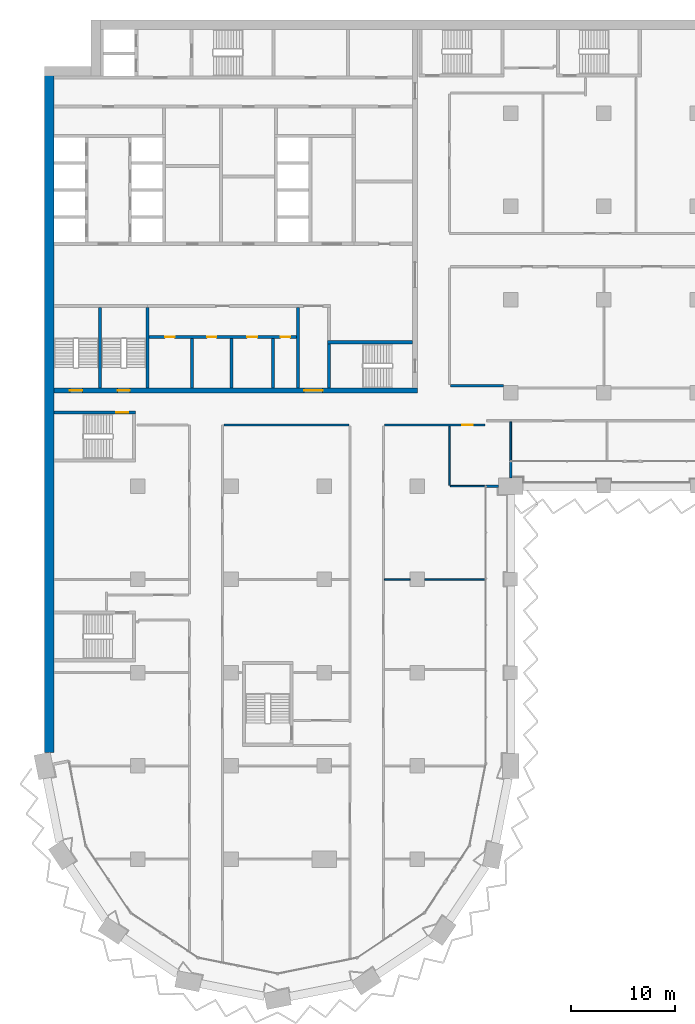
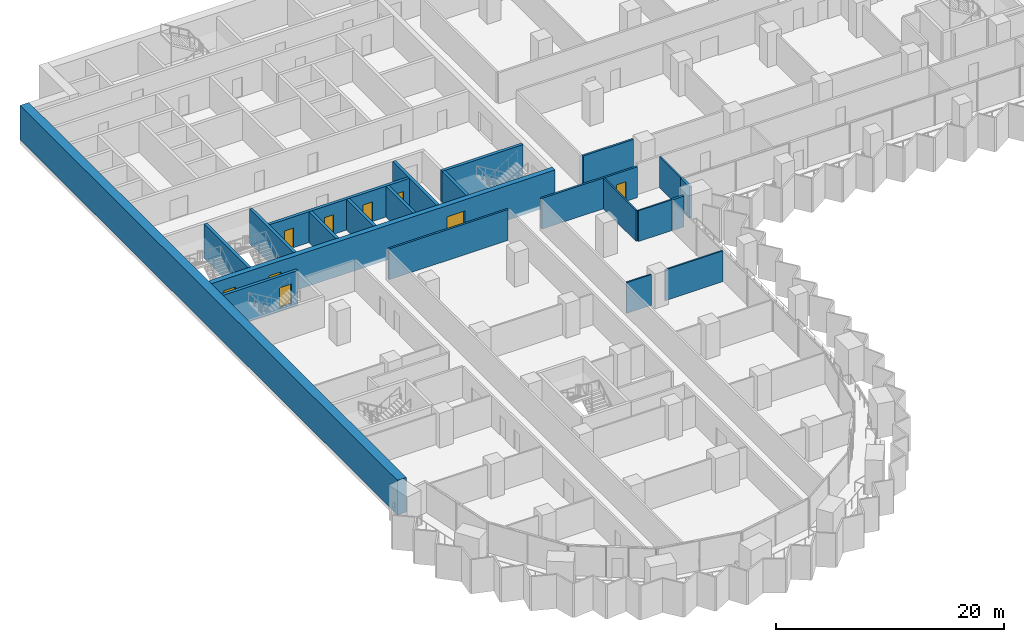
# One storey, part 13 of 29: 22 walls, 9 doors, 9 openings.
"""IFC4 building model written with IfcOpenShell, lengths in metres."""

from ifc_helpers import new_model, si_unit, direction, frame, frame_2d, origin, place, context, subcontext, project, spatial, rectangle, extrude, material, layer, layer_set, type_object, element, fill, save


model = new_model("IFC4")

# Units and contexts
model_context = context("Model", 3, precision=1e-05, world=origin(), true_north=direction((0.0, 1.0)))
body_context = subcontext(model_context, "Body", "Model", "MODEL_VIEW")
ifc_project = project(units=[si_unit("LENGTHUNIT", "METRE"), si_unit("AREAUNIT", "SQUARE_METRE"), si_unit("VOLUMEUNIT", "CUBIC_METRE"), si_unit("PLANEANGLEUNIT", "RADIAN"), si_unit("MASSUNIT", "GRAM", prefix="KILO")], contexts=[model_context])

# Site, building, storey
site_placement = place(None, origin())
site = spatial("IfcSite", under=ifc_project, at=site_placement, CompositionType="ELEMENT")
building_placement = place(site_placement, origin())
building = spatial("IfcBuilding", under=site, at=building_placement, Name="Hunhe Ridgeline Campus", CompositionType="ELEMENT")
storey_placement = place(building_placement, frame((0.0, 0.0, 69.10009765625)))
storey = spatial("IfcBuildingStorey", under=building, at=storey_placement, Name="L16", CompositionType="ELEMENT", Elevation=69.10009765625)

# Wall, openings, doors
ifc_material_1 = material(Name="Masonry concrete blockwork", Category="masonry")
ifc_layer_1 = layer(ifc_material_1, 0.300048828125)
ifc_layer_set_1 = layer_set([ifc_layer_1], Name="Core room partition 300 concrete block")
wall_type_1 = type_object("IfcWallType", Name="Core room partition 300 concrete block", PredefinedType="PARTITIONING", material=ifc_layer_set_1)
wall_1_placement = place(storey_placement, frame((10.10009765625, 68.39990234375, 0.0), z_axis=(0.0, 0.0, 1.0), x_axis=(1.0, 0.0, 0.0)))
wall_1 = element("IfcWall", 1, at=wall_1_placement, inside=storey, type_object=wall_type_1, Name="L16 core partition 10", PredefinedType="PARTITIONING", context=body_context, shape_type="SweptSolid", body=[
    extrude(rectangle(XDim=14.199951171875, YDim=0.300048828125, at=frame_2d((7.10009765625, 0.0))), origin(), (0.0, 0.0, 1.0), 3.2998046875),
])
opening_1_placement = place(wall_1_placement, frame((1.550048828125, 0.0, 0.0)))
opening_1 = element("IfcOpeningElement", 2, at=opening_1_placement, cuts=wall_1, Name="Opening CD8", PredefinedType="OPENING", context=body_context, shape_type="SweptSolid", body=[
    extrude(rectangle(XDim=0.89990234375, YDim=2.10009765625, at=frame_2d((0.449951171875, 1.050048828125))), frame((0.0, 0.14990234375, 0.0), z_axis=(0.0, -1.0, 0.0), x_axis=(1.0, 0.0, 0.0)), (0.0, 0.0, 1.0), 0.300048828125),
])
opening_2_placement = place(wall_1_placement, frame((5.60009765625, 0.0, 0.0)))
opening_2 = element("IfcOpeningElement", 3, at=opening_2_placement, cuts=wall_1, Name="Opening CD9", PredefinedType="OPENING", context=body_context, shape_type="SweptSolid", body=[
    extrude(rectangle(XDim=0.89990234375, YDim=2.10009765625, at=frame_2d((0.449951171875, 1.050048828125))), frame((0.0, 0.14990234375, 0.0), z_axis=(0.0, -1.0, 0.0), x_axis=(1.0, 0.0, 0.0)), (0.0, 0.0, 1.0), 0.300048828125),
])
opening_3_placement = place(wall_1_placement, frame((9.449951171875, 0.0, 0.0)))
opening_3 = element("IfcOpeningElement", 4, at=opening_3_placement, cuts=wall_1, Name="Opening CD10", PredefinedType="OPENING", context=body_context, shape_type="SweptSolid", body=[
    extrude(rectangle(XDim=1.0, YDim=2.10009765625, at=frame_2d((0.5, 1.050048828125))), frame((0.0, 0.14990234375, 0.0), z_axis=(0.0, -1.0, 0.0), x_axis=(1.0, 0.0, 0.0)), (0.0, 0.0, 1.0), 0.300048828125),
])
opening_4_placement = place(wall_1_placement, frame((12.699951171875, 0.0, 0.0)))
opening_4 = element("IfcOpeningElement", 5, at=opening_4_placement, cuts=wall_1, Name="Opening CD11", PredefinedType="OPENING", context=body_context, shape_type="SweptSolid", body=[
    extrude(rectangle(XDim=0.89990234375, YDim=2.10009765625, at=frame_2d((0.449951171875, 1.050048828125))), frame((0.0, 0.14990234375, 0.0), z_axis=(0.0, -1.0, 0.0), x_axis=(1.0, 0.0, 0.0)), (0.0, 0.0, 1.0), 0.300048828125),
])
ifc_material_2 = material(Name="Solid core timber door leaf", Category="wood")
door_type_1 = type_object("IfcDoorType", Name="Timber door 1000x2100", OperationType="SINGLE_SWING_LEFT", PredefinedType="DOOR", material=ifc_material_2)
door_1_placement = place(opening_3_placement, frame((1.0, 0.0, 0.0), z_axis=(0.0, 0.0, 1.0), x_axis=(-1.0, 0.0, 0.0)))
door_1 = element("IfcDoor", 6, at=door_1_placement, inside=storey, type_object=door_type_1, Name="L16 door WC3", OperationType="SINGLE_SWING_RIGHT", OverallHeight=2.10009765625, OverallWidth=1.0, PredefinedType="DOOR", context=body_context, shape_type="SweptSolid", body=[
    extrude(rectangle(XDim=1.0, YDim=2.10009765625, at=frame_2d((0.5, 1.050048828125))), frame((0.0, 0.02490234375, 0.0), z_axis=(0.0, -1.0, 0.0), x_axis=(1.0, 0.0, 0.0)), (0.0, 0.0, 1.0), 0.050048828125),
])
fill(opening_3, door_1)
door_type_2 = type_object("IfcDoorType", Name="Timber door 900x2100", OperationType="SINGLE_SWING_LEFT", PredefinedType="DOOR", material=ifc_material_2)
door_2_placement = place(opening_1_placement, frame((0.89990234375, 0.0, 0.0), z_axis=(0.0, 0.0, 1.0), x_axis=(-1.0, 0.0, 0.0)))
door_2 = element("IfcDoor", 7, at=door_2_placement, inside=storey, type_object=door_type_2, Name="L16 door WC1", OperationType="SINGLE_SWING_RIGHT", OverallHeight=2.10009765625, OverallWidth=0.89990234375, PredefinedType="DOOR", context=body_context, shape_type="SweptSolid", body=[
    extrude(rectangle(XDim=0.89990234375, YDim=2.10009765625, at=frame_2d((0.449951171875, 1.050048828125))), frame((0.0, 0.02490234375, 0.0), z_axis=(0.0, -1.0, 0.0), x_axis=(1.0, 0.0, 0.0)), (0.0, 0.0, 1.0), 0.050048828125),
])
fill(opening_1, door_2)
door_3_placement = place(opening_2_placement, frame((0.89990234375, 0.0, 0.0), z_axis=(0.0, 0.0, 1.0), x_axis=(-1.0, 0.0, 0.0)))
door_3 = element("IfcDoor", 8, at=door_3_placement, inside=storey, type_object=door_type_2, Name="L16 door WC2", OperationType="SINGLE_SWING_LEFT", OverallHeight=2.10009765625, OverallWidth=0.89990234375, PredefinedType="DOOR", context=body_context, shape_type="SweptSolid", body=[
    extrude(rectangle(XDim=0.89990234375, YDim=2.10009765625, at=frame_2d((0.449951171875, 1.050048828125))), frame((0.0, 0.02490234375, 0.0), z_axis=(0.0, -1.0, 0.0), x_axis=(1.0, 0.0, 0.0)), (0.0, 0.0, 1.0), 0.050048828125),
])
fill(opening_2, door_3)
door_4_placement = place(opening_4_placement, frame((0.89990234375, 0.0, 0.0), z_axis=(0.0, 0.0, 1.0), x_axis=(-1.0, 0.0, 0.0)))
door_4 = element("IfcDoor", 9, at=door_4_placement, inside=storey, type_object=door_type_2, Name="L16 door WC4", OperationType="SINGLE_SWING_LEFT", OverallHeight=2.10009765625, OverallWidth=0.89990234375, PredefinedType="DOOR", context=body_context, shape_type="SweptSolid", body=[
    extrude(rectangle(XDim=0.89990234375, YDim=2.10009765625, at=frame_2d((0.449951171875, 1.050048828125))), frame((0.0, 0.02490234375, 0.0), z_axis=(0.0, -1.0, 0.0), x_axis=(1.0, 0.0, 0.0)), (0.0, 0.0, 1.0), 0.050048828125),
])
fill(opening_4, door_4)

# Walls
for number, where, z_axis, x_axis, name in (
    (10, (14.25, 63.5, 0.0), (0.0, 0.0, 1.0), (0.0, 1.0, 0.0), "L16 core partition 48"),
    (11, (18.050048828125, 63.5, 0.0), (0.0, 0.0, 1.0), (0.0, 1.0, 0.0), "L16 core partition 50"),
    (12, (22.050048828125, 63.5, 0.0), (0.0, 0.0, 1.0), (0.0, 1.0, 0.0), "L16 core partition 52"),
):
    element("IfcWall", number, at=place(storey_placement, frame(where, z_axis=z_axis, x_axis=x_axis)), inside=storey, type_object=wall_type_1, Name=name, PredefinedType="PARTITIONING", context=body_context, shape_type="SweptSolid", body=[
        extrude(rectangle(XDim=4.75, YDim=0.300048828125, at=frame_2d((2.375, 0.0))), origin(), (0.0, 0.0, 1.0), 3.2998046875),
    ])
wall_2_placement = place(storey_placement, frame((24.449951171875, 63.5, 0.0), z_axis=(0.0, 0.0, 1.0), x_axis=(0.0, 1.0, 0.0)))
element("IfcWall", 13, at=wall_2_placement, inside=storey, type_object=wall_type_1, Name="L16 core partition 57", PredefinedType="PARTITIONING", context=body_context, shape_type="SweptSolid", body=[
    extrude(rectangle(XDim=7.75, YDim=0.300048828125, at=frame_2d((3.875, 0.0))), origin(), (0.0, 0.0, 1.0), 3.2998046875),
])

# Wall, openings, doors
ifc_material_3 = material(Name="Concrete C80", Category="concrete")
ifc_layer_2 = layer(ifc_material_3, 0.5)
ifc_layer_set_2 = layer_set([ifc_layer_2], Name="Core wall 500 reinforced concrete C80")
wall_type_2 = type_object("IfcWallType", Name="Core wall 500 reinforced concrete C80", PredefinedType="SOLIDWALL", material=ifc_layer_set_2)
wall_3_placement = place(storey_placement, frame((0.89990234375, 63.25, -0.400146484375), z_axis=(0.0, 0.0, 1.0), x_axis=(1.0, 0.0, 0.0)))
wall_3 = element("IfcWall", 14, at=wall_3_placement, inside=storey, type_object=wall_type_2, Name="L16 core wall 7", PredefinedType="SOLIDWALL", context=body_context, shape_type="SweptSolid", body=[
    extrude(rectangle(XDim=35.10009765625, YDim=0.5, at=frame_2d((17.550048828125, 0.0))), origin(), (0.0, 0.0, 1.0), 3.699951171875),
])
opening_5_placement = place(wall_3_placement, frame((24.14990234375, 0.0, 0.39990234375)))
opening_5 = element("IfcOpeningElement", 15, at=opening_5_placement, cuts=wall_3, Name="Opening CD6", PredefinedType="OPENING", context=body_context, shape_type="SweptSolid", body=[
    extrude(rectangle(XDim=1.800048828125, YDim=2.10009765625, at=frame_2d((0.89990234375, 1.050048828125))), frame((0.0, 0.25, 0.0), z_axis=(0.0, -1.0, 0.0), x_axis=(1.0, 0.0, 0.0)), (0.0, 0.0, 1.0), 0.5),
])
opening_6_placement = place(wall_3_placement, frame((1.550048828125, 0.0, 0.39990234375)))
opening_6 = element("IfcOpeningElement", 16, at=opening_6_placement, cuts=wall_3, Name="Opening CD13", PredefinedType="OPENING", context=body_context, shape_type="SweptSolid", body=[
    extrude(rectangle(XDim=1.199951171875, YDim=2.10009765625, at=frame_2d((0.60009765625, 1.050048828125))), frame((0.0, 0.25, 0.0), z_axis=(0.0, -1.0, 0.0), x_axis=(1.0, 0.0, 0.0)), (0.0, 0.0, 1.0), 0.5),
])
opening_7_placement = place(wall_3_placement, frame((6.14990234375, 0.0, 0.39990234375)))
opening_7 = element("IfcOpeningElement", 17, at=opening_7_placement, cuts=wall_3, Name="Opening CD14", PredefinedType="OPENING", context=body_context, shape_type="SweptSolid", body=[
    extrude(rectangle(XDim=1.199951171875, YDim=2.10009765625, at=frame_2d((0.60009765625, 1.050048828125))), frame((0.0, 0.25, 0.0), z_axis=(0.0, -1.0, 0.0), x_axis=(1.0, 0.0, 0.0)), (0.0, 0.0, 1.0), 0.5),
])
ifc_material_4 = material(Name="Anodised aluminium and glass", Category="aluminium")
door_type_3 = type_object("IfcDoorType", Name="Glazed double door 1800x2100", OperationType="DOUBLE_DOOR_SINGLE_SWING", PredefinedType="DOOR", material=ifc_material_4)
door_5_placement = place(opening_5_placement, frame((1.800048828125, 0.0, 0.0), z_axis=(0.0, 0.0, 1.0), x_axis=(-1.0, 0.0, 0.0)))
door_5 = element("IfcDoor", 18, at=door_5_placement, inside=storey, type_object=door_type_3, Name="L16 door VEST-FLOOR", OperationType="DOUBLE_DOOR_SINGLE_SWING", OverallHeight=2.10009765625, OverallWidth=1.800048828125, PredefinedType="DOOR", context=body_context, shape_type="SweptSolid", body=[
    extrude(rectangle(XDim=1.800048828125, YDim=2.10009765625, at=frame_2d((0.89990234375, 1.050048828125))), frame((0.0, 0.02490234375, 0.0), z_axis=(0.0, -1.0, 0.0), x_axis=(1.0, 0.0, 0.0)), (0.0, 0.0, 1.0), 0.050048828125),
])
fill(opening_5, door_5)
ifc_material_5 = material(Name="Hollow metal fire door leaf")
door_type_4 = type_object("IfcDoorType", Name="Stair door 1200x2100 FD60", OperationType="SINGLE_SWING_LEFT", PredefinedType="DOOR", material=ifc_material_5)
door_6_placement = place(opening_6_placement, frame((1.199951171875, 0.0, 0.0), z_axis=(0.0, 0.0, 1.0), x_axis=(-1.0, 0.0, 0.0)))
door_6 = element("IfcDoor", 19, at=door_6_placement, inside=storey, type_object=door_type_4, Name="L16 door S3", OperationType="SINGLE_SWING_RIGHT", OverallHeight=2.10009765625, OverallWidth=1.199951171875, PredefinedType="DOOR", context=body_context, shape_type="SweptSolid", body=[
    extrude(rectangle(XDim=1.199951171875, YDim=2.10009765625, at=frame_2d((0.60009765625, 1.050048828125))), frame((0.0, 0.02490234375, 0.0), z_axis=(0.0, -1.0, 0.0), x_axis=(1.0, 0.0, 0.0)), (0.0, 0.0, 1.0), 0.050048828125),
])
fill(opening_6, door_6)
door_7_placement = place(opening_7_placement, frame((1.199951171875, 0.0, 0.0), z_axis=(0.0, 0.0, 1.0), x_axis=(-1.0, 0.0, 0.0)))
door_7 = element("IfcDoor", 20, at=door_7_placement, inside=storey, type_object=door_type_4, Name="L16 door S4", OperationType="SINGLE_SWING_LEFT", OverallHeight=2.10009765625, OverallWidth=1.199951171875, PredefinedType="DOOR", context=body_context, shape_type="SweptSolid", body=[
    extrude(rectangle(XDim=1.199951171875, YDim=2.10009765625, at=frame_2d((0.60009765625, 1.050048828125))), frame((0.0, 0.02490234375, 0.0), z_axis=(0.0, -1.0, 0.0), x_axis=(1.0, 0.0, 0.0)), (0.0, 0.0, 1.0), 0.050048828125),
])
fill(opening_7, door_7)

# Walls
ifc_material_6 = material(Name="Concrete C30", Category="concrete")
ifc_layer_3 = layer(ifc_material_6, 0.25)
ifc_layer_set_3 = layer_set([ifc_layer_3], Name="Corner return wall 250 Concrete C30")
wall_type_3 = type_object("IfcWallType", Name="Corner return wall 250 Concrete C30", PredefinedType="SOLIDWALL", material=ifc_layer_set_3)
wall_4_placement = place(storey_placement, frame((42.59912109375, 54.0, 0.0), z_axis=(0.0, 0.0, 1.0), x_axis=(0.999999917344, 0.000406586671, 0.0)))
element("IfcWall", 21, at=wall_4_placement, inside=storey, type_object=wall_type_3, Name="Corner return wall 2", PredefinedType="SOLIDWALL", context=body_context, shape_type="SweptSolid", body=[
    extrude(rectangle(XDim=1.200927734375, YDim=0.25, at=frame_2d((0.6005859375, 0.0))), origin(), (0.0, 0.0, 1.0), 3.2998046875),
])
wall_5_placement = place(storey_placement, frame((44.999267578125, 54.800048828125, 0.0), z_axis=(0.0, 0.0, 1.0), x_axis=(0.000152508767, 0.999999988371, 0.0)))
element("IfcWall", 22, at=wall_5_placement, inside=storey, type_object=wall_type_3, Name="Corner return wall 3", PredefinedType="SOLIDWALL", context=body_context, shape_type="SweptSolid", body=[
    extrude(rectangle(XDim=1.600830078125, YDim=0.25, at=frame_2d((0.80029296875, 0.0))), origin(), (0.0, 0.0, 1.0), 3.2998046875),
])
ifc_material_7 = material(Name="Gypsum board partition")
ifc_layer_4 = layer(ifc_material_7, 0.199951171875)
ifc_layer_set_4 = layer_set([ifc_layer_4], Name="Corridor partition 200 gypsum board on steel studs")
wall_type_4 = type_object("IfcWallType", Name="Corridor partition 200 gypsum board on steel studs", PredefinedType="PARTITIONING", material=ifc_layer_set_4)
wall_6_placement = place(storey_placement, frame((29.39990234375, 59.89990234375, 0.0), z_axis=(0.0, 0.0, 1.0), x_axis=(-1.0, 0.0, 0.0)))
element("IfcWall", 23, at=wall_6_placement, inside=storey, type_object=wall_type_4, Name="F-L16-wall-032", PredefinedType="PARTITIONING", context=body_context, shape_type="SweptSolid", body=[
    extrude(rectangle(XDim=12.072021484375, YDim=0.199951171875, at=frame_2d((6.0361328125, 0.0))), origin(), (0.0, 0.0, 1.0), 3.2998046875),
])

# Wall, opening, door
wall_7_placement = place(storey_placement, frame((42.5, 59.89990234375, 0.0), z_axis=(0.0, 0.0, 1.0), x_axis=(-1.0, 0.0, 0.0)))
wall_7 = element("IfcWall", 24, at=wall_7_placement, inside=storey, type_object=wall_type_4, Name="F-L16-wall-033", PredefinedType="PARTITIONING", context=body_context, shape_type="SweptSolid", body=[
    extrude(rectangle(XDim=9.699951171875, YDim=0.199951171875, at=frame_2d((4.85009765625, 0.0))), origin(), (0.0, 0.0, 1.0), 3.2998046875),
])
opening_8_placement = place(wall_7_placement, frame((1.1591796875, 0.0, 0.0)))
opening_8 = element("IfcOpeningElement", 25, at=opening_8_placement, cuts=wall_7, Name="Opening RD1-022", PredefinedType="OPENING", context=body_context, shape_type="SweptSolid", body=[
    extrude(rectangle(XDim=1.0, YDim=2.10009765625, at=frame_2d((0.5, 1.050048828125))), frame((0.0, 0.10009765625, 0.0), z_axis=(0.0, -1.0, 0.0), x_axis=(1.0, 0.0, 0.0)), (0.0, 0.0, 1.0), 0.199951171875),
])
ifc_material_8 = material(Name="Timber door leaf", Category="wood")
door_type_5 = type_object("IfcDoorType", Name="Single fire door 1000x2100 timber FD60", OperationType="NOTDEFINED", PredefinedType="DOOR", material=ifc_material_8)
door_8_placement = place(opening_8_placement, origin())
door_8 = element("IfcDoor", 26, at=door_8_placement, inside=storey, type_object=door_type_5, Name="F-L16-door-022", OperationType="SINGLE_SWING_LEFT", OverallHeight=2.10009765625, OverallWidth=1.0, PredefinedType="DOOR", context=body_context, shape_type="SweptSolid", body=[
    extrude(rectangle(XDim=1.0, YDim=2.10009765625, at=frame_2d((0.5, 1.050048828125))), frame((0.0, 0.02490234375, 0.0), z_axis=(0.0, -1.0, 0.0), x_axis=(1.0, 0.0, 0.0)), (0.0, 0.0, 1.0), 0.050048828125),
])
fill(opening_8, door_8)

# Walls
wall_8_placement = place(storey_placement, frame((39.199951171875, 63.699951171875, 0.0), z_axis=(0.0, 0.0, 1.0), x_axis=(1.0, 0.0, 0.0)))
element("IfcWall", 27, at=wall_8_placement, inside=storey, type_object=wall_type_4, Name="F-L16-wall-035", PredefinedType="PARTITIONING", context=body_context, shape_type="SweptSolid", body=[
    extrude(rectangle(XDim=5.10009765625, YDim=0.199951171875, at=frame_2d((2.550048828125, 0.0))), origin(), (0.0, 0.0, 1.0), 3.2998046875),
])
ifc_layer_5 = layer(ifc_material_7, 0.14990234375)
ifc_layer_set_5 = layer_set([ifc_layer_5], Name="Room partition 150 gypsum board on steel studs")
wall_type_5 = type_object("IfcWallType", Name="Room partition 150 gypsum board on steel studs", PredefinedType="PARTITIONING", material=ifc_layer_set_5)
wall_9_placement = place(storey_placement, frame((32.800048828125, 45.0, 0.0), z_axis=(0.0, 0.0, 1.0), x_axis=(1.0, 0.0, 0.0)))
element("IfcWall", 28, at=wall_9_placement, inside=storey, type_object=wall_type_5, Name="F-L16-wall-028", PredefinedType="PARTITIONING", context=body_context, shape_type="SweptSolid", body=[
    extrude(rectangle(XDim=2.5, YDim=0.14990234375, at=frame_2d((1.25, 0.0))), origin(), (0.0, 0.0, 1.0), 3.2998046875),
])
wall_10_placement = place(storey_placement, frame((36.699951171875, 45.0, 0.0), z_axis=(0.0, 0.0, 1.0), x_axis=(1.0, 0.0, 0.0)))
element("IfcWall", 29, at=wall_10_placement, inside=storey, type_object=wall_type_5, Name="F-L16-wall-029", PredefinedType="PARTITIONING", context=body_context, shape_type="SweptSolid", body=[
    extrude(rectangle(XDim=5.844970703125, YDim=0.14990234375, at=frame_2d((2.92236328125, 0.0))), origin(), (0.0, 0.0, 1.0), 3.2998046875),
])
wall_11_placement = place(storey_placement, frame((39.175048828125, 54.0, 0.0), z_axis=(0.0, 0.0, 1.0), x_axis=(1.0, 0.0, 0.0)))
element("IfcWall", 30, at=wall_11_placement, inside=storey, type_object=wall_type_5, Name="F-L16-wall-030", PredefinedType="PARTITIONING", context=body_context, shape_type="SweptSolid", body=[
    extrude(rectangle(XDim=3.369873046875, YDim=0.14990234375, at=frame_2d((1.68505859375, 0.0))), origin(), (0.0, 0.0, 1.0), 3.2998046875),
])
wall_12_placement = place(storey_placement, frame((39.10009765625, 59.800048828125, 0.0), z_axis=(0.0, 0.0, 1.0), x_axis=(0.0, -1.0, 0.0)))
element("IfcWall", 31, at=wall_12_placement, inside=storey, type_object=wall_type_5, Name="F-L16-wall-058", PredefinedType="PARTITIONING", context=body_context, shape_type="SweptSolid", body=[
    extrude(rectangle(XDim=5.72509765625, YDim=0.14990234375, at=frame_2d((2.862548828125, 0.0))), origin(), (0.0, 0.0, 1.0), 3.2998046875),
])
wall_13_placement = place(storey_placement, frame((45.0, 60.199951171875, 0.0), z_axis=(0.0, 0.0, 1.0), x_axis=(0.0, -1.0, 0.0)))
element("IfcWall", 32, at=wall_13_placement, inside=storey, type_object=wall_type_5, Name="F-L16-wall-061", PredefinedType="PARTITIONING", context=body_context, shape_type="SweptSolid", body=[
    extrude(rectangle(XDim=3.7451171875, YDim=0.14990234375, at=frame_2d((1.87255859375, 0.0))), origin(), (0.0, 0.0, 1.0), 3.2998046875),
])
ifc_layer_6 = layer(ifc_material_3, 0.89990234375)
ifc_layer_set_6 = layer_set([ifc_layer_6], Name="Spine wall 900 Concrete C80")
wall_type_6 = type_object("IfcWallType", Name="Spine wall 900 Concrete C80", PredefinedType="SHEAR", material=ifc_layer_set_6)
wall_14_placement = place(storey_placement, frame((0.449951171875, 94.5, 0.0), z_axis=(0.0, 0.0, 1.0), x_axis=(0.0, -1.0, 0.0)))
element("IfcWall", 33, at=wall_14_placement, inside=storey, type_object=wall_type_6, Name="Spine wall SW1-1 L16", PredefinedType="SHEAR", context=body_context, shape_type="SweptSolid", body=[
    extrude(rectangle(XDim=66.18701171875, YDim=0.89990234375, at=frame_2d((33.093505859375, 0.0))), origin(), (0.0, 0.0, 1.0), 3.699951171875),
])

# Wall, opening, door
ifc_layer_7 = layer(ifc_material_3, 0.300048828125)
ifc_layer_set_7 = layer_set([ifc_layer_7], Name="Stair wall 300 reinforced concrete C80")
wall_type_7 = type_object("IfcWallType", Name="Stair wall 300 reinforced concrete C80", PredefinedType="SOLIDWALL", material=ifc_layer_set_7)
wall_15_placement = place(storey_placement, frame((0.89990234375, 61.10009765625, -0.400146484375), z_axis=(0.0, 0.0, 1.0), x_axis=(1.0, 0.0, 0.0)))
wall_15 = element("IfcWall", 34, at=wall_15_placement, inside=storey, type_object=wall_type_7, Name="L16 core wall 6", PredefinedType="SOLIDWALL", context=body_context, shape_type="SweptSolid", body=[
    extrude(rectangle(XDim=7.900146484375, YDim=0.300048828125, at=frame_2d((3.9501953125, 0.0))), origin(), (0.0, 0.0, 1.0), 3.699951171875),
])
opening_9_placement = place(wall_15_placement, frame((6.0, 0.0, 0.39990234375)))
opening_9 = element("IfcOpeningElement", 35, at=opening_9_placement, cuts=wall_15, Name="Opening CD22", PredefinedType="OPENING", context=body_context, shape_type="SweptSolid", body=[
    extrude(rectangle(XDim=1.199951171875, YDim=2.10009765625, at=frame_2d((0.60009765625, 1.050048828125))), frame((0.0, 0.14990234375, 0.0), z_axis=(0.0, -1.0, 0.0), x_axis=(1.0, 0.0, 0.0)), (0.0, 0.0, 1.0), 0.300048828125),
])
door_9_placement = place(opening_9_placement, origin())
door_9 = element("IfcDoor", 36, at=door_9_placement, inside=storey, type_object=door_type_4, Name="L16 door W2", OperationType="SINGLE_SWING_RIGHT", OverallHeight=2.10009765625, OverallWidth=1.199951171875, PredefinedType="DOOR", context=body_context, shape_type="SweptSolid", body=[
    extrude(rectangle(XDim=1.199951171875, YDim=2.10009765625, at=frame_2d((0.60009765625, 1.050048828125))), frame((0.0, 0.02490234375, 0.0), z_axis=(0.0, -1.0, 0.0), x_axis=(1.0, 0.0, 0.0)), (0.0, 0.0, 1.0), 0.050048828125),
])
fill(opening_9, door_9)

# Walls
wall_16_placement = place(storey_placement, frame((27.300048828125, 67.89990234375, -0.400146484375), z_axis=(0.0, 0.0, 1.0), x_axis=(1.0, 0.0, 0.0)))
element("IfcWall", 37, at=wall_16_placement, inside=storey, type_object=wall_type_7, Name="L16 core wall 9", PredefinedType="SOLIDWALL", context=body_context, shape_type="SweptSolid", body=[
    extrude(rectangle(XDim=8.199951171875, YDim=0.300048828125, at=frame_2d((4.10009765625, 0.0))), origin(), (0.0, 0.0, 1.0), 3.699951171875),
])
for number, where, z_axis, x_axis, name in (
    (38, (5.35009765625, 63.5, -0.400146484375), (0.0, 0.0, 1.0), (0.0, 1.0, 0.0), "L16 core wall 38"),
    (39, (9.949951171875, 63.5, -0.400146484375), (0.0, 0.0, 1.0), (0.0, 1.0, 0.0), "L16 core wall 44"),
):
    element("IfcWall", number, at=place(storey_placement, frame(where, z_axis=z_axis, x_axis=x_axis)), inside=storey, type_object=wall_type_7, Name=name, PredefinedType="SOLIDWALL", context=body_context, shape_type="SweptSolid", body=[
        extrude(rectangle(XDim=7.75, YDim=0.300048828125, at=frame_2d((3.875, 0.0))), origin(), (0.0, 0.0, 1.0), 3.699951171875),
    ])
wall_17_placement = place(storey_placement, frame((27.449951171875, 63.5, -0.400146484375), z_axis=(0.0, 0.0, 1.0), x_axis=(0.0, 1.0, 0.0)))
element("IfcWall", 40, at=wall_17_placement, inside=storey, type_object=wall_type_7, Name="L16 core wall 59", PredefinedType="SOLIDWALL", context=body_context, shape_type="SweptSolid", body=[
    extrude(rectangle(XDim=4.25, YDim=0.300048828125, at=frame_2d((2.125, 0.0))), origin(), (0.0, 0.0, 1.0), 3.699951171875),
])

save(model, "model.ifc")
